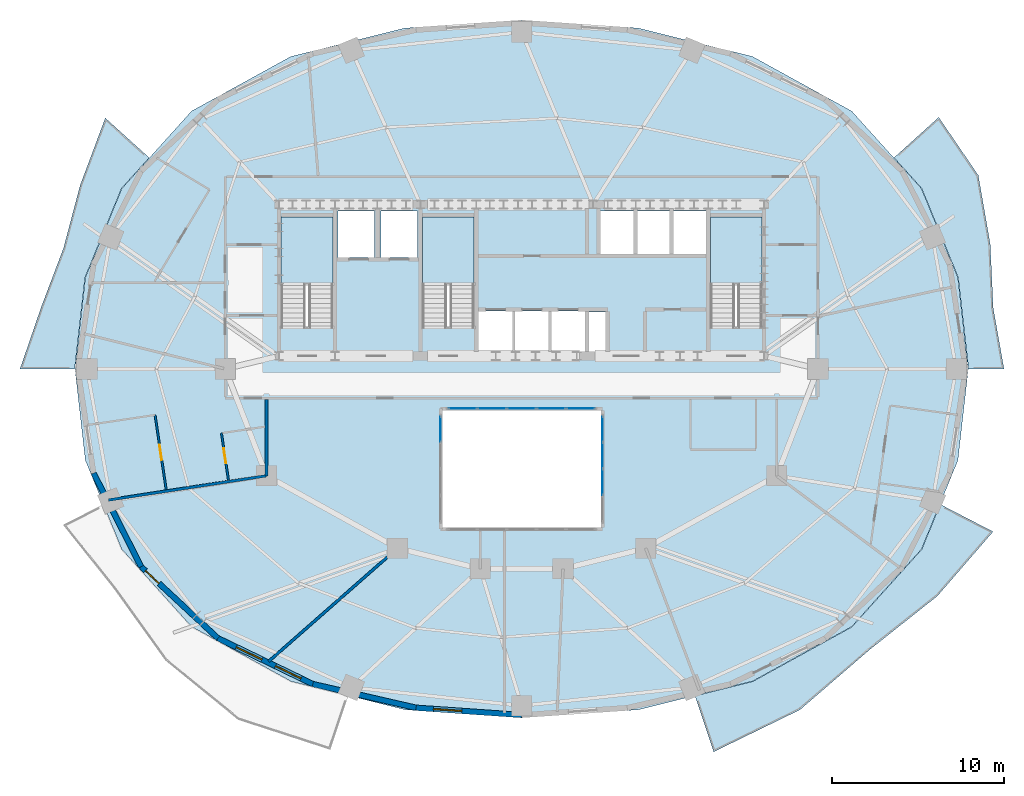
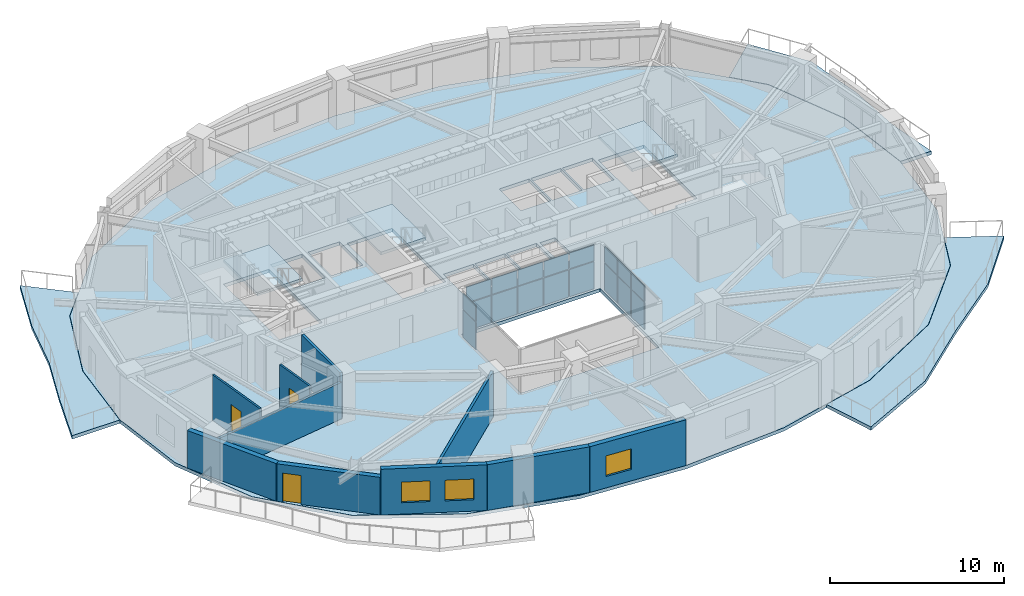
# One storey, part 5 of 12: 18 plates, 10 walls, 7 slabs, 3 doors, 3 windows, 6 openings, 6 elements without a shape of their own.
"""IFC4 building model written with IfcOpenShell, lengths in metres."""

import ifcopenshell
import ifcopenshell.guid

model = None  # the IFC model being written
_history = None  # IfcOwnerHistory: only IFC2X3 demands one
_inside = {}  # id of a spatial element -> (the spatial element, [elements in it])
_under = {}  # id of a project, library or spatial element -> (it, [spatial elements below it])
_declared = {}  # id of a project -> (the project, [libraries it declares])
_typed = {}  # id of a type object -> (the type object, [elements of that type])
_made_of = {}  # id of a material, layer set ... -> (it, [elements and type objects made of it])


def new_model(schema):
    """Start an empty IFC model of exactly this schema.

    Asked for "IFC4X3", IfcOpenShell would pick the latest addendum, in which some entities
    have other attributes; the version numbers below select the first issue.
    IFC2X3 requires an IfcOwnerHistory on every rooted entity: one is made here for all.
    """
    global model, _history
    if schema == "IFC4X3":
        model = ifcopenshell.file(schema_version=(4, 3, 0, 0))
    else:
        model = ifcopenshell.file(schema=schema)
    _inside.clear()
    _under.clear()
    _declared.clear()
    _typed.clear()
    _made_of.clear()
    _history = None
    if model.schema == "IFC2X3":
        org = make("IfcOrganization", Name="unknown")
        user = make(
            "IfcPersonAndOrganization",
            ThePerson=make("IfcPerson", FamilyName="unknown"),
            TheOrganization=org,
        )
        app = make(
            "IfcApplication",
            ApplicationDeveloper=org,
            Version="unknown",
            ApplicationFullName="unknown",
            ApplicationIdentifier="unknown",
        )
        _history = make(
            "IfcOwnerHistory",
            OwningUser=user,
            OwningApplication=app,
            ChangeAction="ADDED",
            CreationDate=0,
        )
    return model


def make(cls, **values):
    """One entity of the class cls with the attributes given. An attribute that is None is left unset."""
    return model.create_entity(
        cls, **{name: value for name, value in values.items() if value is not None}
    )


def rooted(cls, **values):
    """An entity with a GlobalId (a new one), such as an element, a storey or a relation."""
    return make(cls, GlobalId=ifcopenshell.guid.new(), OwnerHistory=_history, **values)


def si_unit(unit_type, name, prefix=None):
    """IfcSIUnit, for example si_unit("LENGTHUNIT", "METRE", prefix="MILLI")."""
    return make("IfcSIUnit", UnitType=unit_type, Prefix=prefix, Name=name)


def assignment(units):
    """IfcUnitAssignment: the units of a project."""
    return None if units is None else make("IfcUnitAssignment", Units=units)


def point(xyz):
    """IfcCartesianPoint."""
    return None if xyz is None else make("IfcCartesianPoint", Coordinates=xyz)


def direction(xyz):
    """IfcDirection."""
    return None if xyz is None else make("IfcDirection", DirectionRatios=xyz)


def frame(location, z_axis=None, x_axis=None):
    """IfcAxis2Placement3D, a coordinate frame: its origin and axes. An axis left out is left unset."""
    return make(
        "IfcAxis2Placement3D",
        Location=point(location),
        Axis=direction(z_axis),
        RefDirection=direction(x_axis),
    )


def frame_2d(location, x_axis=None):
    """IfcAxis2Placement2D, a coordinate frame in the plane: its origin and x axis."""
    return make(
        "IfcAxis2Placement2D", Location=point(location), RefDirection=direction(x_axis)
    )


def origin():
    """The frame at (0, 0, 0) with its axes left unset."""
    return frame((0.0, 0.0, 0.0))


def origin_2d():
    """The frame at (0, 0) in the plane with its x axis left unset."""
    return frame_2d((0.0, 0.0))


def place(relative_to, where):
    """IfcLocalPlacement: puts the frame where relative to a parent placement (None: the world)."""
    return make(
        "IfcLocalPlacement", PlacementRelTo=relative_to, RelativePlacement=where
    )


def context(
    kind, dimensions, precision=None, world=None, true_north=None, identifier=None
):
    """IfcGeometricRepresentationContext, for example the 3D "Model" context."""
    return make(
        "IfcGeometricRepresentationContext",
        ContextIdentifier=identifier,
        ContextType=kind,
        CoordinateSpaceDimension=dimensions,
        Precision=precision,
        WorldCoordinateSystem=world,
        TrueNorth=true_north,
    )


def subcontext(parent, identifier, kind, view, scale=None):
    """IfcGeometricRepresentationSubContext, for example "Body" below "Model"."""
    return make(
        "IfcGeometricRepresentationSubContext",
        ContextIdentifier=identifier,
        ContextType=kind,
        ParentContext=parent,
        TargetScale=scale,
        TargetView=view,
    )


def project(units=None, contexts=None):
    """IfcProject with its units and contexts."""
    return rooted(
        "IfcProject",
        Name="project",
        RepresentationContexts=contexts,
        UnitsInContext=assignment(units),
    )


def spatial(cls, under=None, at=None, **own):
    """A site, building, storey or space (cls), placed at a placement, below another one or the project."""
    s = rooted(cls, ObjectPlacement=at, **own)
    if under is not None:
        _under.setdefault(under.id(), (under, []))[1].append(s)
    return s


def polyline(points):
    """IfcPolyline through the points."""
    return make("IfcPolyline", Points=[point(p) for p in points])


def profile(cls, at=None, kind="AREA", **sizes):
    """A parametric profile (cls). Its sizes go by their IFC names, for example OverallWidth=200.0."""
    return make(cls, ProfileType=kind, Position=at, **sizes)


def rectangle(**sizes):
    """IfcRectangleProfileDef."""
    return profile("IfcRectangleProfileDef", **sizes)


def outline(outer, holes=None, kind="AREA"):
    """IfcArbitraryClosedProfileDef: a profile drawn as a closed curve; with holes, ...WithVoids."""
    if holes is None:
        return make("IfcArbitraryClosedProfileDef", ProfileType=kind, OuterCurve=outer)
    return make(
        "IfcArbitraryProfileDefWithVoids",
        ProfileType=kind,
        OuterCurve=outer,
        InnerCurves=holes,
    )


def extrude(swept, where, along, depth):
    """IfcExtrudedAreaSolid: the profile swept, set in the frame where, extruded along a direction by depth."""
    return make(
        "IfcExtrudedAreaSolid",
        SweptArea=swept,
        Position=where,
        ExtrudedDirection=direction(along),
        Depth=depth,
    )


def shape(context_of_items, identifier, shape_type, items):
    """IfcShapeRepresentation: the items that make up one representation, for example the "Body"."""
    return make(
        "IfcShapeRepresentation",
        ContextOfItems=context_of_items,
        RepresentationIdentifier=identifier,
        RepresentationType=shape_type,
        Items=items,
    )


def material(Name=None, Category=None):
    """IfcMaterial."""
    return make("IfcMaterial", Name=Name, Category=Category)


def layer(
    of_material, thickness, ventilated=None, Name=None, Category=None, Priority=None
):
    """IfcMaterialLayer: one layer of a wall or slab, of a material (None: an air gap)."""
    return make(
        "IfcMaterialLayer",
        Material=of_material,
        LayerThickness=thickness,
        IsVentilated=ventilated,
        Name=Name,
        Category=Category,
        Priority=Priority,
    )


def layer_set(layers, Name=None):
    """IfcMaterialLayerSet."""
    return make("IfcMaterialLayerSet", MaterialLayers=layers, LayerSetName=Name)


def made_of(thing, what):
    """Note that an element or type object is made of a material, layer set ...; save() writes the relation."""
    if what is not None:
        _made_of.setdefault(what.id(), (what, []))[1].append(thing)
    return thing


def type_object(cls, material=None, **own):
    """A type object (cls), such as IfcWallType, which elements share."""
    return made_of(rooted(cls, **own), material)


def element(
    cls,
    number,
    at=None,
    inside=None,
    cuts=None,
    type_object=None,
    material=None,
    context=None,
    identifier="Body",
    shape_type=None,
    held_by="IfcProductDefinitionShape",
    body=None,
    shapes=None,
    **own,
):
    """One element of the class cls, such as IfcWall. Its Tag is "e" and its number.

    at: its placement. inside: the storey or other place that contains it. cuts: it is an
    opening in that element (IfcRelVoidsElement). A single representation is given by context,
    identifier, shape_type and body (its items); several are given by shapes. held_by: the class
    of the entity that holds the representations. save() writes the other relations.
    """
    e = rooted(cls, Tag="e%d" % number, ObjectPlacement=at, **own)
    if body is not None:
        shapes = [shape(context, identifier, shape_type, body)]
    if shapes is not None:
        e.Representation = make(held_by, Representations=shapes)
    if inside is not None:
        _inside.setdefault(inside.id(), (inside, []))[1].append(e)
    if cuts is not None:
        rooted(
            "IfcRelVoidsElement", RelatingBuildingElement=cuts, RelatedOpeningElement=e
        )
    if type_object is not None:
        _typed.setdefault(type_object.id(), (type_object, []))[1].append(e)
    return made_of(e, material)


def fill(opening, filler):
    """IfcRelFillsElement: the door or window that sits in an opening."""
    return rooted(
        "IfcRelFillsElement",
        RelatingOpeningElement=opening,
        RelatedBuildingElement=filler,
    )


def aggregate(whole, parts):
    """IfcRelAggregates: a whole, such as a stair, and the parts it consists of."""
    return rooted("IfcRelAggregates", RelatingObject=whole, RelatedObjects=parts)


def save(model, path):
    """Write the relations noted so far, then the file.

    IfcRelAggregates (storeys below a building ...), IfcRelContainedInSpatialStructure (elements
    in a storey), IfcRelDefinesByType, IfcRelAssociatesMaterial and IfcRelDeclares: one each for
    every whole, place, type object, material and project.
    """
    for whole, parts in _under.values():
        aggregate(whole, parts)
    for where, things in _inside.values():
        rooted(
            "IfcRelContainedInSpatialStructure",
            RelatedElements=things,
            RelatingStructure=where,
        )
    for kind, things in _typed.values():
        rooted("IfcRelDefinesByType", RelatedObjects=things, RelatingType=kind)
    for what, things in _made_of.values():
        rooted("IfcRelAssociatesMaterial", RelatedObjects=things, RelatingMaterial=what)
    for by, libraries in _declared.values():
        rooted("IfcRelDeclares", RelatingContext=by, RelatedDefinitions=libraries)
    model.write(path)


model = new_model("IFC4")

# Units and contexts
model_context = context("Model", 3, precision=1e-05, world=origin(), true_north=direction((0.0, 1.0)))
body_context = subcontext(model_context, "Body", "Model", "MODEL_VIEW")
ifc_project = project(units=[si_unit("LENGTHUNIT", "METRE"), si_unit("AREAUNIT", "SQUARE_METRE"), si_unit("VOLUMEUNIT", "CUBIC_METRE"), si_unit("PLANEANGLEUNIT", "RADIAN"), si_unit("MASSUNIT", "GRAM", prefix="KILO")], contexts=[model_context])

# Site, building, storey
site_placement = place(None, origin())
site = spatial("IfcSite", under=ifc_project, at=site_placement, CompositionType="ELEMENT")
building_placement = place(site_placement, origin())
building = spatial("IfcBuilding", under=site, at=building_placement, Name="Haldorwick Loom Tower", CompositionType="ELEMENT")
storey_placement = place(building_placement, frame((0.0, 0.0, 161.35009765625)))
storey = spatial("IfcBuildingStorey", under=building, at=storey_placement, Name="L43", CompositionType="ELEMENT", Elevation=161.35009765625)

# Curtain wall, plates
ifc_material_1 = material(Name="Thermally Broken Anodized Aluminium Curtain Wall Framing", Category="aluminium")
curtain_wall_type = type_object("IfcCurtainWallType", Name="ARC-CW-03", PredefinedType="NOTDEFINED", material=ifc_material_1)
curtain_wall_1_placement = place(storey_placement, origin())
curtain_wall_1 = element("IfcCurtainWall", 1, at=curtain_wall_1_placement, inside=storey, type_object=curtain_wall_type, Name="L43 Atrium Glazed Screen N", PredefinedType="NOTDEFINED")
ifc_material_2 = material(Name="Triple-Glazed Low-E Argon Insulated Glazing Unit", Category="glass")
ifc_layer_1 = layer(ifc_material_2, 0.04296875, Name="Triple-Glazed Low-E Argon Insulated Glazing Unit", Category="glass")
ifc_layer_set_1 = layer_set([ifc_layer_1], Name="Triple-Glazed Low-E Argon Insulated Glazing Unit")
plate_type = type_object("IfcPlateType", Name="ARC-CWP-03", PredefinedType="CURTAIN_PANEL", material=ifc_layer_set_1)
plate_1_placement = place(storey_placement, frame((32.576416015625, 23.699951171875, 0.06591796875), z_axis=(0.0, 0.0, 1.0), x_axis=(1.0, 0.0, 0.0)))
plate_1 = element("IfcPlate", 2, at=plate_1_placement, type_object=plate_type, Name="CW-03 panel 1.1", PredefinedType="CURTAIN_PANEL", context=body_context, shape_type="SweptSolid", body=[
    extrude(rectangle(XDim=1.62109375, YDim=0.04296875, at=origin_2d()), origin(), (0.0, 0.0, 1.0), 1.90087890625),
])
plate_2_placement = place(storey_placement, frame((32.576416015625, 23.699951171875, 2.03271484375), z_axis=(0.0, 0.0, 1.0), x_axis=(1.0, 0.0, 0.0)))
plate_2 = element("IfcPlate", 3, at=plate_2_placement, type_object=plate_type, Name="CW-03 panel 1.2", PredefinedType="CURTAIN_PANEL", context=body_context, shape_type="SweptSolid", body=[
    extrude(rectangle(XDim=1.62109375, YDim=0.04296875, at=origin_2d()), origin(), (0.0, 0.0, 1.0), 1.111083984375),
])
plate_3_placement = place(storey_placement, frame((34.280029296875, 23.699951171875, 0.06591796875), z_axis=(0.0, 0.0, 1.0), x_axis=(1.0, 0.0, 0.0)))
plate_3 = element("IfcPlate", 4, at=plate_3_placement, type_object=plate_type, Name="CW-03 panel 2.1", PredefinedType="CURTAIN_PANEL", context=body_context, shape_type="SweptSolid", body=[
    extrude(rectangle(XDim=1.654052734375, YDim=0.04296875, at=origin_2d()), origin(), (0.0, 0.0, 1.0), 1.90087890625),
])
plate_4_placement = place(storey_placement, frame((34.280029296875, 23.699951171875, 2.03271484375), z_axis=(0.0, 0.0, 1.0), x_axis=(1.0, 0.0, 0.0)))
plate_4 = element("IfcPlate", 5, at=plate_4_placement, type_object=plate_type, Name="CW-03 panel 2.2", PredefinedType="CURTAIN_PANEL", context=body_context, shape_type="SweptSolid", body=[
    extrude(rectangle(XDim=1.654052734375, YDim=0.04296875, at=origin_2d()), origin(), (0.0, 0.0, 1.0), 1.111083984375),
])
plate_5_placement = place(storey_placement, frame((36.0, 23.699951171875, 0.06591796875), z_axis=(0.0, 0.0, 1.0), x_axis=(1.0, 0.0, 0.0)))
plate_5 = element("IfcPlate", 6, at=plate_5_placement, type_object=plate_type, Name="CW-03 panel 3.1", PredefinedType="CURTAIN_PANEL", context=body_context, shape_type="SweptSolid", body=[
    extrude(rectangle(XDim=1.654052734375, YDim=0.04296875, at=origin_2d()), origin(), (0.0, 0.0, 1.0), 1.90087890625),
])
plate_6_placement = place(storey_placement, frame((36.0, 23.699951171875, 2.03271484375), z_axis=(0.0, 0.0, 1.0), x_axis=(1.0, 0.0, 0.0)))
plate_6 = element("IfcPlate", 7, at=plate_6_placement, type_object=plate_type, Name="CW-03 panel 3.2", PredefinedType="CURTAIN_PANEL", context=body_context, shape_type="SweptSolid", body=[
    extrude(rectangle(XDim=1.654052734375, YDim=0.04296875, at=origin_2d()), origin(), (0.0, 0.0, 1.0), 1.111083984375),
])
plate_7_placement = place(storey_placement, frame((37.719970703125, 23.699951171875, 0.06591796875), z_axis=(0.0, 0.0, 1.0), x_axis=(1.0, 0.0, 0.0)))
plate_7 = element("IfcPlate", 8, at=plate_7_placement, type_object=plate_type, Name="CW-03 panel 4.1", PredefinedType="CURTAIN_PANEL", context=body_context, shape_type="SweptSolid", body=[
    extrude(rectangle(XDim=1.654052734375, YDim=0.04296875, at=origin_2d()), origin(), (0.0, 0.0, 1.0), 1.90087890625),
])
plate_8_placement = place(storey_placement, frame((37.719970703125, 23.699951171875, 2.03271484375), z_axis=(0.0, 0.0, 1.0), x_axis=(1.0, 0.0, 0.0)))
plate_8 = element("IfcPlate", 9, at=plate_8_placement, type_object=plate_type, Name="CW-03 panel 4.2", PredefinedType="CURTAIN_PANEL", context=body_context, shape_type="SweptSolid", body=[
    extrude(rectangle(XDim=1.654052734375, YDim=0.04296875, at=origin_2d()), origin(), (0.0, 0.0, 1.0), 1.111083984375),
])
plate_9_placement = place(storey_placement, frame((39.423583984375, 23.699951171875, 0.06591796875), z_axis=(0.0, 0.0, 1.0), x_axis=(1.0, 0.0, 0.0)))
plate_9 = element("IfcPlate", 10, at=plate_9_placement, type_object=plate_type, Name="CW-03 panel 5.1", PredefinedType="CURTAIN_PANEL", context=body_context, shape_type="SweptSolid", body=[
    extrude(rectangle(XDim=1.62109375, YDim=0.04296875, at=origin_2d()), origin(), (0.0, 0.0, 1.0), 1.90087890625),
])
plate_10_placement = place(storey_placement, frame((39.423583984375, 23.699951171875, 2.03271484375), z_axis=(0.0, 0.0, 1.0), x_axis=(1.0, 0.0, 0.0)))
plate_10 = element("IfcPlate", 11, at=plate_10_placement, type_object=plate_type, Name="CW-03 panel 5.2", PredefinedType="CURTAIN_PANEL", context=body_context, shape_type="SweptSolid", body=[
    extrude(rectangle(XDim=1.62109375, YDim=0.04296875, at=origin_2d()), origin(), (0.0, 0.0, 1.0), 1.111083984375),
])
aggregate(curtain_wall_1, [plate_1, plate_2, plate_3, plate_4, plate_5, plate_6, plate_7, plate_8, plate_9, plate_10])

curtain_wall_2_placement = place(storey_placement, origin())
curtain_wall_2 = element("IfcCurtainWall", 12, at=curtain_wall_2_placement, inside=storey, type_object=curtain_wall_type, Name="L43 Atrium Glazed Screen W", PredefinedType="NOTDEFINED")
plate_11_placement = place(storey_placement, frame((31.300048828125, 22.508544921875, 0.06591796875), z_axis=(0.0, 0.0, 1.0), x_axis=(0.0, 1.0, 0.0)))
plate_11 = element("IfcPlate", 13, at=plate_11_placement, type_object=plate_type, Name="CW-03 panel 4.1", PredefinedType="CURTAIN_PANEL", context=body_context, shape_type="SweptSolid", body=[
    extrude(rectangle(XDim=1.450927734375, YDim=0.04296875, at=origin_2d()), origin(), (0.0, 0.0, 1.0), 1.90087890625),
])
plate_12_placement = place(storey_placement, frame((31.300048828125, 22.508544921875, 2.03271484375), z_axis=(0.0, 0.0, 1.0), x_axis=(0.0, 1.0, 0.0)))
plate_12 = element("IfcPlate", 14, at=plate_12_placement, type_object=plate_type, Name="CW-03 panel 4.2", PredefinedType="CURTAIN_PANEL", context=body_context, shape_type="SweptSolid", body=[
    extrude(rectangle(XDim=1.450927734375, YDim=0.04296875, at=origin_2d()), origin(), (0.0, 0.0, 1.0), 1.111083984375),
])
aggregate(curtain_wall_2, [plate_11, plate_12])

curtain_wall_3_placement = place(storey_placement, origin())
curtain_wall_3 = element("IfcCurtainWall", 15, at=curtain_wall_3_placement, inside=storey, type_object=curtain_wall_type, Name="L43 Atrium Glazed Screen E", PredefinedType="NOTDEFINED")
plate_13_placement = place(storey_placement, frame((40.699951171875, 22.508544921875, 0.06591796875), z_axis=(0.0, 0.0, 1.0), x_axis=(0.0, -1.0, 0.0)))
plate_13 = element("IfcPlate", 16, at=plate_13_placement, type_object=plate_type, Name="CW-03 panel 1.1", PredefinedType="CURTAIN_PANEL", context=body_context, shape_type="SweptSolid", body=[
    extrude(rectangle(XDim=1.450927734375, YDim=0.04296875, at=origin_2d()), origin(), (0.0, 0.0, 1.0), 1.90087890625),
])
plate_14_placement = place(storey_placement, frame((40.699951171875, 22.508544921875, 2.03271484375), z_axis=(0.0, 0.0, 1.0), x_axis=(0.0, -1.0, 0.0)))
plate_14 = element("IfcPlate", 17, at=plate_14_placement, type_object=plate_type, Name="CW-03 panel 1.2", PredefinedType="CURTAIN_PANEL", context=body_context, shape_type="SweptSolid", body=[
    extrude(rectangle(XDim=1.450927734375, YDim=0.04296875, at=origin_2d()), origin(), (0.0, 0.0, 1.0), 1.111083984375),
])
plate_15_placement = place(storey_placement, frame((40.699951171875, 20.97509765625, 0.06591796875), z_axis=(0.0, 0.0, 1.0), x_axis=(0.0, -1.0, 0.0)))
plate_15 = element("IfcPlate", 18, at=plate_15_placement, type_object=plate_type, Name="CW-03 panel 2.1", PredefinedType="CURTAIN_PANEL", context=body_context, shape_type="SweptSolid", body=[
    extrude(rectangle(XDim=1.48388671875, YDim=0.04296875, at=origin_2d()), origin(), (0.0, 0.0, 1.0), 1.90087890625),
])
plate_16_placement = place(storey_placement, frame((40.699951171875, 20.97509765625, 2.03271484375), z_axis=(0.0, 0.0, 1.0), x_axis=(0.0, -1.0, 0.0)))
plate_16 = element("IfcPlate", 19, at=plate_16_placement, type_object=plate_type, Name="CW-03 panel 2.2", PredefinedType="CURTAIN_PANEL", context=body_context, shape_type="SweptSolid", body=[
    extrude(rectangle(XDim=1.48388671875, YDim=0.04296875, at=origin_2d()), origin(), (0.0, 0.0, 1.0), 1.111083984375),
])
plate_17_placement = place(storey_placement, frame((40.699951171875, 19.425048828125, 0.06591796875), z_axis=(0.0, 0.0, 1.0), x_axis=(0.0, -1.0, 0.0)))
plate_17 = element("IfcPlate", 20, at=plate_17_placement, type_object=plate_type, Name="CW-03 panel 3.1", PredefinedType="CURTAIN_PANEL", context=body_context, shape_type="SweptSolid", body=[
    extrude(rectangle(XDim=1.48388671875, YDim=0.04296875, at=origin_2d()), origin(), (0.0, 0.0, 1.0), 1.90087890625),
])
plate_18_placement = place(storey_placement, frame((40.699951171875, 19.425048828125, 2.03271484375), z_axis=(0.0, 0.0, 1.0), x_axis=(0.0, -1.0, 0.0)))
plate_18 = element("IfcPlate", 21, at=plate_18_placement, type_object=plate_type, Name="CW-03 panel 3.2", PredefinedType="CURTAIN_PANEL", context=body_context, shape_type="SweptSolid", body=[
    extrude(rectangle(XDim=1.48388671875, YDim=0.04296875, at=origin_2d()), origin(), (0.0, 0.0, 1.0), 1.111083984375),
])
aggregate(curtain_wall_3, [plate_13, plate_14, plate_15, plate_16, plate_17, plate_18])

# Slabs
ifc_material_3 = material(Name="Concrete C40 (40 MPa)", Category="concrete")
ifc_layer_2 = layer(ifc_material_3, 0.239990234375, Name="Concrete C40 (40 MPa)", Category="concrete")
ifc_layer_set_2 = layer_set([ifc_layer_2], Name="Concrete C40 (40 MPa)")
slab_type_1 = type_object("IfcSlabType", Name="STR-SLB-BAL240", PredefinedType="FLOOR", material=ifc_layer_set_2)
slab_1_placement = place(storey_placement, frame((0.0, 0.0, -0.239990234375)))
element("IfcSlab", 22, at=slab_1_placement, inside=storey, type_object=slab_type_1, Name="L43 Sinusoidal Balcony Terrace BAL_SE", PredefinedType="FLOOR", context=body_context, shape_type="SweptSolid", body=[
    extrude(outline(polyline([(60.2841796875, 18.141357421875), (59.216064453125, 15.530517578125), (59.21533203125, 15.529296875), (59.21484375, 15.528076171875), (59.214111328125, 15.527099609375), (59.213134765625, 15.526123046875), (55.16162109375, 11.031005859375), (55.16064453125, 11.02978515625), (55.1591796875, 11.028564453125), (55.15771484375, 11.02783203125), (49.40283203125, 7.863037109375), (49.40185546875, 7.8623046875), (49.400634765625, 7.86181640625), (49.3994140625, 7.861572265625), (46.05908203125, 7.027587890625), (47.1416015625, 3.783447265625), (52.1513671875, 6.222412109375), (56.19189453125, 9.707763671875), (60.12548828125, 12.824951171875), (63.35400390625, 16.555908203125), (60.2841796875, 18.141357421875)])), origin(), (0.0, 0.0, 1.0), 0.239990234375),
])
slab_2_placement = place(storey_placement, frame((0.0, 0.0, -0.239990234375)))
element("IfcSlab", 23, at=slab_2_placement, inside=storey, type_object=slab_type_1, Name="L43 Sinusoidal Balcony Terrace BAL_WNW", PredefinedType="FLOOR", context=body_context, shape_type="SweptSolid", body=[
    extrude(outline(polyline([(10.068115234375, 26.0), (10.068115234375, 26.001708984375), (10.669677734375, 31.30029296875), (10.669921875, 31.3017578125), (10.670166015625, 31.302978515625), (10.670654296875, 31.30419921875), (12.783935546875, 36.469482421875), (12.78466796875, 36.470703125), (12.78515625, 36.4716796875), (12.785888671875, 36.472900390625), (12.786865234375, 36.473876953125), (14.390380859375, 38.25341796875), (11.8447265625, 40.55517578125), (10.38623046875, 36.66259765625), (9.417236328125, 32.998291015625), (8.13720703125, 29.617431640625), (6.89453125, 26.0), (10.068115234375, 26.0)])), origin(), (0.0, 0.0, 1.0), 0.239990234375),
])
slab_3_placement = place(storey_placement, frame((0.0, 0.0, -0.239990234375)))
element("IfcSlab", 24, at=slab_3_placement, inside=storey, type_object=slab_type_1, Name="L43 Sinusoidal Balcony Terrace BAL_ENE", PredefinedType="FLOOR", context=body_context, shape_type="SweptSolid", body=[
    extrude(outline(polyline([(57.609619140625, 38.25341796875), (59.213134765625, 36.473876953125), (59.214111328125, 36.472900390625), (59.21484375, 36.4716796875), (59.21533203125, 36.470703125), (59.216064453125, 36.469482421875), (61.329345703125, 31.30419921875), (61.329833984375, 31.302978515625), (61.330078125, 31.3017578125), (61.330322265625, 31.30029296875), (61.931884765625, 26.001708984375), (61.931884765625, 26.0), (63.988525390625, 26.0), (63.36572265625, 29.5166015625), (63.18896484375, 33.25048828125), (62.494384765625, 37.237060546875), (60.2001953125, 40.59716796875), (57.609619140625, 38.25341796875)])), origin(), (0.0, 0.0, 1.0), 0.239990234375),
])

# Stair, slab
stair_type = type_object("IfcStairType", Name="STR-STR-CORE", PredefinedType="HALF_TURN_STAIR", material=ifc_material_3)
stair_1_placement = place(storey_placement, origin())
stair_1 = element("IfcStair", 25, at=stair_1_placement, inside=storey, type_object=stair_type, Name="L43 Exit Stair ST-01", PredefinedType="HALF_TURN_STAIR")
ifc_layer_3 = layer(ifc_material_3, 0.199951171875, Name="Concrete C40 (40 MPa)", Category="concrete")
ifc_layer_set_3 = layer_set([ifc_layer_3], Name="Concrete C40 (40 MPa)")
slab_type_2 = type_object("IfcSlabType", Name="STR-SLB-LAND200", PredefinedType="LANDING", material=ifc_layer_set_3)
slab_4_placement = place(storey_placement, frame((0.0, 0.0, 1.52490234375)))
slab_4 = element("IfcSlab", 26, at=slab_4_placement, type_object=slab_type_2, Name="ST-01 landing 1", PredefinedType="LANDING", context=body_context, shape_type="SweptSolid", body=[
    extrude(outline(polyline([(25.050048828125, 30.919921875), (25.050048828125, 34.800048828125), (22.050048828125, 34.800048828125), (22.050048828125, 30.919921875), (25.050048828125, 30.919921875)])), origin(), (0.0, 0.0, 1.0), 0.199951171875),
])
aggregate(stair_1, [slab_4])

stair_2_placement = place(storey_placement, origin())
stair_2 = element("IfcStair", 27, at=stair_2_placement, inside=storey, type_object=stair_type, Name="L43 Exit Stair ST-02", PredefinedType="HALF_TURN_STAIR")
slab_5_placement = place(storey_placement, frame((0.0, 0.0, 1.52490234375)))
slab_5 = element("IfcSlab", 28, at=slab_5_placement, type_object=slab_type_2, Name="ST-02 landing 1", PredefinedType="LANDING", context=body_context, shape_type="SweptSolid", body=[
    extrude(outline(polyline([(49.949951171875, 30.919921875), (49.949951171875, 34.800048828125), (46.949951171875, 34.800048828125), (46.949951171875, 30.919921875), (49.949951171875, 30.919921875)])), origin(), (0.0, 0.0, 1.0), 0.199951171875),
])
aggregate(stair_2, [slab_5])

stair_3_placement = place(storey_placement, origin())
stair_3 = element("IfcStair", 29, at=stair_3_placement, inside=storey, type_object=stair_type, Name="L43 Exit Stair ST-03", PredefinedType="HALF_TURN_STAIR")
slab_6_placement = place(storey_placement, frame((0.0, 0.0, 1.52490234375)))
slab_6 = element("IfcSlab", 30, at=slab_6_placement, type_object=slab_type_2, Name="ST-03 landing 1", PredefinedType="LANDING", context=body_context, shape_type="SweptSolid", body=[
    extrude(outline(polyline([(33.25, 30.919921875), (33.25, 34.800048828125), (30.25, 34.800048828125), (30.25, 30.919921875), (33.25, 30.919921875)])), origin(), (0.0, 0.0, 1.0), 0.199951171875),
])
aggregate(stair_3, [slab_6])

# Slab
ifc_layer_4 = layer(ifc_material_3, 0.239990234375, Name="Concrete C40 (40 MPa)", Category="concrete")
ifc_layer_set_4 = layer_set([ifc_layer_4], Name="Concrete C40 (40 MPa)")
slab_type_3 = type_object("IfcSlabType", Name="STR-SLB-RES240", PredefinedType="FLOOR", material=ifc_layer_set_4)
slab_7_placement = place(storey_placement, frame((0.0, 0.0, -0.239990234375)))
element("IfcSlab", 31, at=slab_7_placement, inside=storey, type_object=slab_type_3, Name="L43 Residential Structural Floor Slab", PredefinedType="FLOOR", context=body_context, shape_type="SweptSolid", body=[
    extrude(outline(polyline([(55.150634765625, 11.041015625), (59.2021484375, 15.5361328125), (61.3154296875, 20.701416015625), (61.9169921875, 26.0), (61.3154296875, 31.298583984375), (59.2021484375, 36.4638671875), (55.150634765625, 40.958984375), (49.395751953125, 44.123779296875), (42.783203125, 45.774658203125), (36.0, 46.24462890625), (29.216796875, 45.774658203125), (22.604248046875, 44.123779296875), (16.849365234375, 40.958984375), (12.7978515625, 36.4638671875), (10.6845703125, 31.298583984375), (10.0830078125, 26.0), (10.6845703125, 20.701416015625), (12.7978515625, 15.5361328125), (16.849365234375, 11.041015625), (22.604248046875, 7.876220703125), (29.216796875, 6.225341796875), (36.0, 5.75537109375), (42.783203125, 6.225341796875), (49.395751953125, 7.876220703125), (55.150634765625, 11.041015625)]), holes=[polyline([(31.39990234375, 16.800048828125), (31.39990234375, 23.60009765625), (40.60009765625, 23.60009765625), (40.60009765625, 16.800048828125), (31.39990234375, 16.800048828125)]), polyline([(33.5, 26.85009765625), (33.5, 29.35009765625), (35.5, 29.35009765625), (35.5, 26.85009765625), (33.5, 26.85009765625)]), polyline([(35.60009765625, 26.85009765625), (35.60009765625, 29.35009765625), (37.60009765625, 29.35009765625), (37.60009765625, 26.85009765625), (35.60009765625, 26.85009765625)]), polyline([(23.6201171875, 28.39990234375), (22.050048828125, 28.39990234375), (22.050048828125, 34.800048828125), (25.050048828125, 34.800048828125), (25.050048828125, 28.639892578125), (23.6201171875, 28.639892578125), (23.6201171875, 28.39990234375)]), polyline([(30.25, 28.39990234375), (30.25, 34.800048828125), (33.25, 34.800048828125), (33.25, 28.639892578125), (31.820068359375, 28.639892578125), (31.820068359375, 28.39990234375), (30.25, 28.39990234375)]), polyline([(25.35009765625, 32.449951171875), (25.35009765625, 35.14990234375), (27.449951171875, 35.14990234375), (27.449951171875, 32.449951171875), (25.35009765625, 32.449951171875)]), polyline([(29.949951171875, 32.449951171875), (27.85009765625, 32.449951171875), (27.85009765625, 35.14990234375), (29.949951171875, 35.14990234375), (29.949951171875, 32.449951171875)]), polyline([(37.699951171875, 26.85009765625), (37.699951171875, 29.35009765625), (39.699951171875, 29.35009765625), (39.699951171875, 26.85009765625), (37.699951171875, 26.85009765625)]), polyline([(39.89990234375, 26.89990234375), (39.89990234375, 29.300048828125), (40.89990234375, 29.300048828125), (40.89990234375, 26.89990234375), (39.89990234375, 26.89990234375)]), polyline([(46.949951171875, 28.39990234375), (46.949951171875, 34.800048828125), (49.949951171875, 34.800048828125), (49.949951171875, 28.639892578125), (48.52001953125, 28.639892578125), (48.52001953125, 28.39990234375), (46.949951171875, 28.39990234375)]), polyline([(40.550048828125, 32.64990234375), (40.550048828125, 35.14990234375), (42.550048828125, 35.14990234375), (42.550048828125, 32.64990234375), (40.550048828125, 32.64990234375)]), polyline([(42.64990234375, 32.64990234375), (42.64990234375, 35.14990234375), (44.64990234375, 35.14990234375), (44.64990234375, 32.64990234375), (42.64990234375, 32.64990234375)]), polyline([(44.75, 32.64990234375), (44.75, 35.14990234375), (46.75, 35.14990234375), (46.75, 32.64990234375), (44.75, 32.64990234375)])]), origin(), (0.0, 0.0, 1.0), 0.239990234375),
])

# Wall
ifc_material_4 = material(Name="Pressed Clay Face Brick and Insulated Masonry Backup Assembly", Category="masonry")
ifc_layer_5 = layer(ifc_material_4, 0.320068359375, Name="Pressed Clay Face Brick and Insulated Masonry Backup Assembly", Category="masonry")
ifc_layer_set_5 = layer_set([ifc_layer_5], Name="Pressed Clay Face Brick and Insulated Masonry Backup Assembly")
wall_type_1 = type_object("IfcWallType", Name="ARC-WL-EXT320", PredefinedType="STANDARD", material=ifc_layer_set_5)
wall_1_placement = place(storey_placement, frame((11.1650390625, 19.944580078125, 0.0), z_axis=(0.0, 0.0, 1.0), x_axis=(0.453172129629, -0.89142303141, 0.0)))
element("IfcWall", 32, at=wall_1_placement, inside=storey, type_object=wall_type_1, Name="L43 Brick Pier and Spandrel Wall 14", PredefinedType="STANDARD", context=body_context, shape_type="SweptSolid", body=[
    extrude(rectangle(XDim=6.086669921875, YDim=0.320068359375, at=frame_2d((3.04345703125, 0.0))), origin(), (0.0, 0.0, 1.0), 2.640869140625),
])

# Wall, opening, door
wall_2_placement = place(storey_placement, frame((13.92333984375, 14.518798828125, 0.0), z_axis=(0.0, 0.0, 1.0), x_axis=(0.732001571644, -0.681302942244, 0.0)))
wall_2 = element("IfcWall", 33, at=wall_2_placement, inside=storey, type_object=wall_type_1, Name="L43 Brick Pier and Spandrel Wall 15", PredefinedType="STANDARD", context=body_context, shape_type="SweptSolid", body=[
    extrude(rectangle(XDim=6.0869140625, YDim=0.320068359375, at=frame_2d((3.04345703125, 0.0))), origin(), (0.0, 0.0, 1.0), 2.640869140625),
])
opening_1_placement = place(wall_2_placement, frame((0.340087890625, 0.0, 0.0)))
opening_1 = element("IfcOpeningElement", 34, at=opening_1_placement, cuts=wall_2, Name="Opening D-BL11", PredefinedType="OPENING", context=body_context, shape_type="SweptSolid", body=[
    extrude(rectangle(XDim=1.080078125, YDim=2.0400390625, at=frame_2d((0.5400390625, 1.02001953125))), frame((0.0, 0.169921875, 0.0), z_axis=(0.0, -1.0, 0.0), x_axis=(1.0, 0.0, 0.0)), (0.0, 0.0, 1.0), 0.340087890625),
])
door_type_1 = type_object("IfcDoorType", Name="ARC-DR-BAL110", OperationType="NOTDEFINED", PredefinedType="DOOR", material=ifc_material_1)
door_1_placement = place(opening_1_placement, origin())
door_1 = element("IfcDoor", 35, at=door_1_placement, inside=storey, type_object=door_type_1, Name="L43 Outdoor Terrace Door SLB-L43-BAL_SW", OperationType="SINGLE_SWING_LEFT", OverallHeight=2.0400390625, OverallWidth=1.080078125, PredefinedType="DOOR", context=body_context, shape_type="SweptSolid", body=[
    extrude(rectangle(XDim=1.080078125, YDim=2.0400390625, at=frame_2d((0.5400390625, 1.02001953125))), frame((0.0, 0.02490234375, 0.0), z_axis=(0.0, -1.0, 0.0), x_axis=(1.0, 0.0, 0.0)), (0.0, 0.0, 1.0), 0.050048828125),
])
fill(opening_1, door_1)

# Wall, openings, windows
wall_3_placement = place(storey_placement, frame((18.37890625, 10.371826171875, 0.0), z_axis=(0.0, 0.0, 1.0), x_axis=(0.900472429216, -0.43491309962, 0.0)))
wall_3 = element("IfcWall", 36, at=wall_3_placement, inside=storey, type_object=wall_type_1, Name="L43 Brick Pier and Spandrel Wall 16", PredefinedType="STANDARD", context=body_context, shape_type="SweptSolid", body=[
    extrude(rectangle(XDim=6.1181640625, YDim=0.320068359375, at=frame_2d((3.05908203125, 0.0))), origin(), (0.0, 0.0, 1.0), 3.2099609375),
])
opening_2_placement = place(wall_3_placement, frame((1.181884765625, 0.0, 0.800048828125)))
opening_2 = element("IfcOpeningElement", 37, at=opening_2_placement, cuts=wall_3, Name="Opening W-01B", PredefinedType="OPENING", context=body_context, shape_type="SweptSolid", body=[
    extrude(rectangle(XDim=1.64990234375, YDim=1.449951171875, at=frame_2d((0.824951171875, 0.72509765625))), frame((0.0, 0.169921875, 0.0), z_axis=(0.0, -1.0, 0.0), x_axis=(1.0, 0.0, 0.0)), (0.0, 0.0, 1.0), 0.340087890625),
])
opening_3_placement = place(wall_3_placement, frame((3.70751953125, 0.0, 0.800048828125)))
opening_3 = element("IfcOpeningElement", 38, at=opening_3_placement, cuts=wall_3, Name="Opening W-01B", PredefinedType="OPENING", context=body_context, shape_type="SweptSolid", body=[
    extrude(rectangle(XDim=1.64990234375, YDim=1.449951171875, at=frame_2d((0.824951171875, 0.72509765625))), frame((0.0, 0.169921875, 0.0), z_axis=(0.0, -1.0, 0.0), x_axis=(1.0, 0.0, 0.0)), (0.0, 0.0, 1.0), 0.340087890625),
])
window_type = type_object("IfcWindowType", Name="ARC-WIN-W165", PartitioningType="SINGLE_PANEL", PredefinedType="WINDOW", material=ifc_material_2)
window_1_placement = place(opening_2_placement, origin())
window_1 = element("IfcWindow", 39, at=window_1_placement, inside=storey, type_object=window_type, Name="L43 Deep-Set Zone 7A Window 16", OverallHeight=1.449951171875, OverallWidth=1.64990234375, PartitioningType="SINGLE_PANEL", PredefinedType="WINDOW", context=body_context, shape_type="SweptSolid", body=[
    extrude(rectangle(XDim=1.64990234375, YDim=1.449951171875, at=frame_2d((0.824951171875, 0.72509765625))), frame((0.0, 0.030029296875, 0.0), z_axis=(0.0, -1.0, 0.0), x_axis=(1.0, 0.0, 0.0)), (0.0, 0.0, 1.0), 0.06005859375),
])
fill(opening_2, window_1)
window_2_placement = place(opening_3_placement, origin())
window_2 = element("IfcWindow", 40, at=window_2_placement, inside=storey, type_object=window_type, Name="L43 Deep-Set Zone 7A Window 16", OverallHeight=1.449951171875, OverallWidth=1.64990234375, PartitioningType="SINGLE_PANEL", PredefinedType="WINDOW", context=body_context, shape_type="SweptSolid", body=[
    extrude(rectangle(XDim=1.64990234375, YDim=1.449951171875, at=frame_2d((0.824951171875, 0.72509765625))), frame((0.0, 0.030029296875, 0.0), z_axis=(0.0, -1.0, 0.0), x_axis=(1.0, 0.0, 0.0)), (0.0, 0.0, 1.0), 0.06005859375),
])
fill(opening_3, window_2)

# Wall
wall_4_placement = place(storey_placement, frame((23.88818359375, 7.7109375, 0.0), z_axis=(0.0, 0.0, 1.0), x_axis=(0.974593223547, -0.223982250674, 0.0)))
element("IfcWall", 41, at=wall_4_placement, inside=storey, type_object=wall_type_1, Name="L43 Brick Pier and Spandrel Wall 17", PredefinedType="STANDARD", context=body_context, shape_type="SweptSolid", body=[
    extrude(rectangle(XDim=6.138916015625, YDim=0.320068359375, at=frame_2d((3.0693359375, 0.0))), origin(), (0.0, 0.0, 1.0), 3.2099609375),
])

# Wall, opening, window
wall_5_placement = place(storey_placement, frame((29.87109375, 6.3359375, 0.0), z_axis=(0.0, 0.0, 1.0), x_axis=(0.997652942988, -0.068473391522, 0.0)))
wall_5 = element("IfcWall", 42, at=wall_5_placement, inside=storey, type_object=wall_type_1, Name="L43 Brick Pier and Spandrel Wall 18", PredefinedType="STANDARD", context=body_context, shape_type="SweptSolid", body=[
    extrude(rectangle(XDim=6.143310546875, YDim=0.320068359375, at=frame_2d((3.07177734375, 0.0))), origin(), (0.0, 0.0, 1.0), 3.2099609375),
])
opening_4_placement = place(wall_5_placement, frame((1.01806640625, 0.0, 0.800048828125)))
opening_4 = element("IfcOpeningElement", 43, at=opening_4_placement, cuts=wall_5, Name="Opening W-01B", PredefinedType="OPENING", context=body_context, shape_type="SweptSolid", body=[
    extrude(rectangle(XDim=1.64990234375, YDim=1.449951171875, at=frame_2d((0.824951171875, 0.72509765625))), frame((0.0, 0.169921875, 0.0), z_axis=(0.0, -1.0, 0.0), x_axis=(1.0, 0.0, 0.0)), (0.0, 0.0, 1.0), 0.340087890625),
])
window_3_placement = place(opening_4_placement, origin())
window_3 = element("IfcWindow", 44, at=window_3_placement, inside=storey, type_object=window_type, Name="L43 Deep-Set Zone 7A Window 18", OverallHeight=1.449951171875, OverallWidth=1.64990234375, PartitioningType="SINGLE_PANEL", PredefinedType="WINDOW", context=body_context, shape_type="SweptSolid", body=[
    extrude(rectangle(XDim=1.64990234375, YDim=1.449951171875, at=frame_2d((0.824951171875, 0.72509765625))), frame((0.0, 0.030029296875, 0.0), z_axis=(0.0, -1.0, 0.0), x_axis=(1.0, 0.0, 0.0)), (0.0, 0.0, 1.0), 0.06005859375),
])
fill(opening_4, window_3)

# Walls
ifc_material_5 = material(Name="Fire-Rated Type X Gypsum Stud Assembly EI 60")
ifc_layer_6 = layer(ifc_material_5, 0.159912109375, Name="Fire-Rated Type X Gypsum Stud Assembly EI 60")
ifc_layer_set_6 = layer_set([ifc_layer_6], Name="Fire-Rated Type X Gypsum Stud Assembly EI 60")
wall_type_2 = type_object("IfcWallType", Name="ARC-WL-FIRE160", PredefinedType="PARTITIONING", material=ifc_layer_set_6)
wall_6_placement = place(storey_placement, frame((28.800048828125, 15.60009765625, 0.0), z_axis=(0.0, 0.0, 1.0), x_axis=(-0.751199514731, -0.660075214706, 0.0)))
element("IfcWall", 45, at=wall_6_placement, inside=storey, type_object=wall_type_2, Name="L43 Residential Fire Partition L43-ICR-09", PredefinedType="PARTITIONING", context=body_context, shape_type="SweptSolid", body=[
    extrude(rectangle(XDim=9.961181640625, YDim=0.159912109375, at=frame_2d((4.98046875, 0.0))), origin(), (0.0, 0.0, 1.0), 3.19482421875),
])
wall_7_placement = place(storey_placement, frame((21.199951171875, 19.800048828125, 0.0), z_axis=(0.0, 0.0, 1.0), x_axis=(-0.988415150096, -0.151774474339, 0.0)))
element("IfcWall", 46, at=wall_7_placement, inside=storey, type_object=wall_type_2, Name="L43 Residential Fire Partition L43-ICR-11", PredefinedType="PARTITIONING", context=body_context, shape_type="SweptSolid", body=[
    extrude(rectangle(XDim=9.27978515625, YDim=0.159912109375, at=frame_2d((4.639892578125, 0.0))), origin(), (0.0, 0.0, 1.0), 2.56787109375),
])
wall_8_placement = place(storey_placement, frame((21.199951171875, 24.217041015625, 0.0), z_axis=(0.0, 0.0, 1.0), x_axis=(0.0, -1.0, 0.0)))
element("IfcWall", 47, at=wall_8_placement, inside=storey, type_object=wall_type_2, Name="L43 Residential Fire Partition L43-ICA-10", PredefinedType="PARTITIONING", context=body_context, shape_type="SweptSolid", body=[
    extrude(rectangle(XDim=4.4169921875, YDim=0.159912109375, at=frame_2d((2.20849609375, 0.0))), origin(), (0.0, 0.0, 1.0), 3.19482421875),
])

# Wall, opening, door
ifc_material_6 = material(Name="Acoustic Gypsum Stud Assembly STC 55")
ifc_layer_7 = layer(ifc_material_6, 0.1201171875, Name="Acoustic Gypsum Stud Assembly STC 55")
ifc_layer_set_7 = layer_set([ifc_layer_7], Name="Acoustic Gypsum Stud Assembly STC 55")
wall_type_3 = type_object("IfcWallType", Name="ARC-WL-PART120", PredefinedType="PARTITIONING", material=ifc_layer_set_7)
wall_9_placement = place(storey_placement, frame((18.584228515625, 22.27099609375, 0.0), z_axis=(0.0, 0.0, 1.0), x_axis=(0.147469849416, -0.98906655161, 0.0)))
wall_9 = element("IfcWall", 48, at=wall_9_placement, inside=storey, type_object=wall_type_3, Name="L43 Unit 43A Interior Partition", PredefinedType="PARTITIONING", context=body_context, shape_type="SweptSolid", body=[
    extrude(rectangle(XDim=2.75634765625, YDim=0.1201171875, at=frame_2d((1.378173828125, 0.0))), origin(), (0.0, 0.0, 1.0), 3.19482421875),
])
opening_5_placement = place(wall_9_placement, frame((0.87841796875, 0.0, 0.0)))
opening_5 = element("IfcOpeningElement", 49, at=opening_5_placement, cuts=wall_9, Name="Opening D-BT88", PredefinedType="OPENING", context=body_context, shape_type="SweptSolid", body=[
    extrude(rectangle(XDim=0.8798828125, YDim=2.02001953125, at=frame_2d((0.43994140625, 1.010009765625))), frame((0.0, 0.070068359375, 0.0), z_axis=(0.0, -1.0, 0.0), x_axis=(1.0, 0.0, 0.0)), (0.0, 0.0, 1.0), 0.14013671875),
])
ifc_material_7 = material(Name="Solid Core Birch Architectural Door")
door_type_2 = type_object("IfcDoorType", Name="ARC-DR-BATH88", OperationType="NOTDEFINED", PredefinedType="DOOR", material=ifc_material_7)
door_2_placement = place(opening_5_placement, origin())
door_2 = element("IfcDoor", 50, at=door_2_placement, inside=storey, type_object=door_type_2, Name="L43 Unit 43A Bathroom to Unit 43A Kitchen and Living Room Door", OperationType="SINGLE_SWING_RIGHT", OverallHeight=2.02001953125, OverallWidth=0.8798828125, PredefinedType="DOOR", context=body_context, shape_type="SweptSolid", body=[
    extrude(rectangle(XDim=0.8798828125, YDim=2.02001953125, at=frame_2d((0.43994140625, 1.010009765625))), frame((0.0, 0.02490234375, 0.0), z_axis=(0.0, -1.0, 0.0), x_axis=(1.0, 0.0, 0.0)), (0.0, 0.0, 1.0), 0.050048828125),
])
fill(opening_5, door_2)

wall_10_placement = place(storey_placement, frame((14.731201171875, 23.3271484375, 0.0), z_axis=(0.0, 0.0, 1.0), x_axis=(0.147537276338, -0.989056495904, 0.0)))
wall_10 = element("IfcWall", 51, at=wall_10_placement, inside=storey, type_object=wall_type_3, Name="L43 Unit 43A Interior Partition", PredefinedType="PARTITIONING", context=body_context, shape_type="SweptSolid", body=[
    extrude(rectangle(XDim=4.38525390625, YDim=0.1201171875, at=frame_2d((2.192626953125, 0.0))), origin(), (0.0, 0.0, 1.0), 3.19482421875),
])
opening_6_placement = place(wall_10_placement, frame((1.74267578125, 0.0, 0.0)))
opening_6 = element("IfcOpeningElement", 52, at=opening_6_placement, cuts=wall_10, Name="Opening D-IN90", PredefinedType="OPENING", context=body_context, shape_type="SweptSolid", body=[
    extrude(rectangle(XDim=0.89990234375, YDim=2.0400390625, at=frame_2d((0.449951171875, 1.02001953125))), frame((0.0, 0.070068359375, 0.0), z_axis=(0.0, -1.0, 0.0), x_axis=(1.0, 0.0, 0.0)), (0.0, 0.0, 1.0), 0.14013671875),
])
door_type_3 = type_object("IfcDoorType", Name="ARC-DR-INT90", OperationType="NOTDEFINED", PredefinedType="DOOR", material=ifc_material_7)
door_3_placement = place(opening_6_placement, origin())
door_3 = element("IfcDoor", 53, at=door_3_placement, inside=storey, type_object=door_type_3, Name="L43 Unit 43A Kitchen and Living Room to Unit 43A Bedroom 1 Door", OperationType="SINGLE_SWING_LEFT", OverallHeight=2.0400390625, OverallWidth=0.89990234375, PredefinedType="DOOR", context=body_context, shape_type="SweptSolid", body=[
    extrude(rectangle(XDim=0.89990234375, YDim=2.0400390625, at=frame_2d((0.449951171875, 1.02001953125))), frame((0.0, 0.02490234375, 0.0), z_axis=(0.0, -1.0, 0.0), x_axis=(1.0, 0.0, 0.0)), (0.0, 0.0, 1.0), 0.050048828125),
])
fill(opening_6, door_3)

save(model, "model.ifc")
